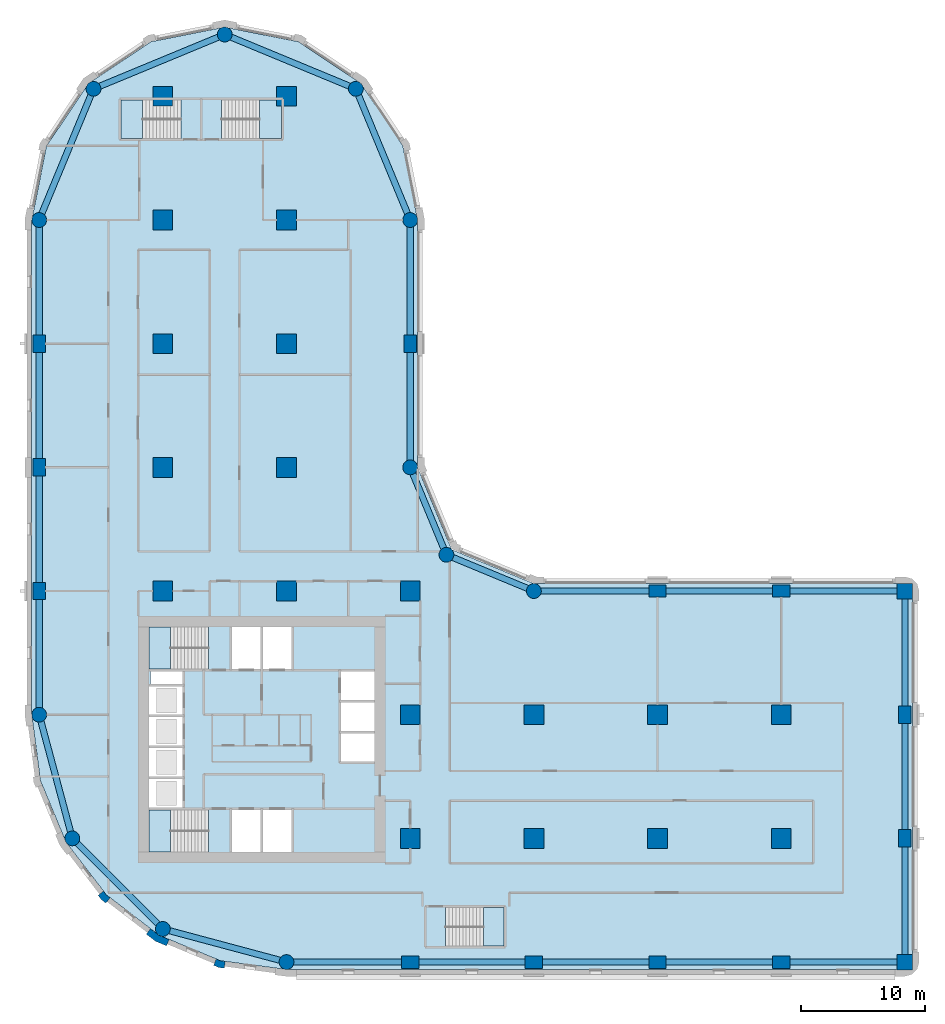
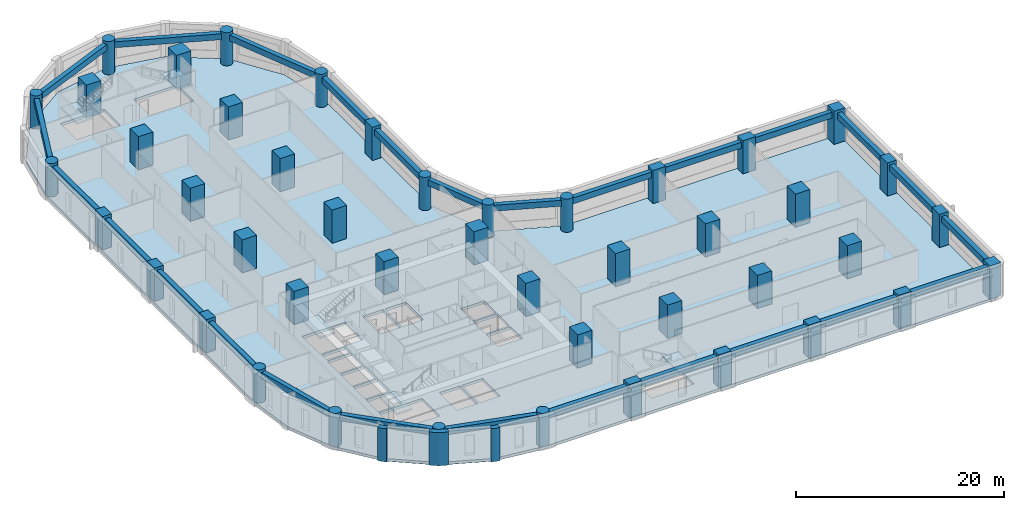
# One storey, part 1 of 10: 45 columns, 26 beams, 6 slabs, 3 walls, 5 elements without a shape of their own.
"""IFC4 building model written with IfcOpenShell, lengths in metres."""

from ifc_helpers import new_model, si_unit, direction, frame, origin, origin_2d, place, context, subcontext, project, spatial, polyline, rectangle, circle, outline, extrude, material, layer, layer_set, material_profile, profile_set, type_object, element, aggregate, save


model = new_model("IFC4")

# Units and contexts
model_context = context("Model", 3, precision=1e-05, world=origin(), true_north=direction((0.0, 1.0)))
body_context = subcontext(model_context, "Body", "Model", "MODEL_VIEW")
ifc_project = project(units=[si_unit("LENGTHUNIT", "METRE"), si_unit("AREAUNIT", "SQUARE_METRE"), si_unit("VOLUMEUNIT", "CUBIC_METRE"), si_unit("PLANEANGLEUNIT", "RADIAN"), si_unit("MASSUNIT", "GRAM", prefix="KILO")], contexts=[model_context])

# Site, building, storey
site_placement = place(None, origin())
site = spatial("IfcSite", under=ifc_project, at=site_placement, CompositionType="ELEMENT")
building_placement = place(site_placement, origin())
building = spatial("IfcBuilding", under=site, at=building_placement, Name="Qaws Garden Tower", CompositionType="ELEMENT")
storey_placement = place(building_placement, frame((0.0, 0.0, 12.0)))
storey = spatial("IfcBuildingStorey", under=building, at=storey_placement, Name="L02", CompositionType="ELEMENT", Elevation=12.0)

# Columns
ifc_material_1 = material(Name="Concrete C80", Category="concrete")
ifc_material_profile_1 = material_profile(ifc_material_1, rectangle(XDim=1.25, YDim=1.25, at=origin_2d()), Name="RC 1250x1250")
ifc_profile_set_1 = profile_set([ifc_material_profile_1], Name="Concrete C80")
column_type_1 = type_object("IfcColumnType", Name="Column RC 1250x1250 C80", PredefinedType="COLUMN", material=ifc_profile_set_1)
for number, where, z_axis, x_axis, name in (
    (1, (70.0, 0.0, 0.0), (0.0, 0.0, 1.0), (1.0, 0.0, 0.0), "Column L02-006"),
    (2, (70.0, 30.0, 0.0), (0.0, 0.0, 1.0), (1.0, 0.0, 0.0), "Column L02-009"),
):
    element("IfcColumn", number, at=place(storey_placement, frame(where, z_axis=z_axis, x_axis=x_axis)), inside=storey, type_object=column_type_1, Name=name, PredefinedType="COLUMN", context=body_context, shape_type="SweptSolid", body=[
        extrude(rectangle(XDim=1.25, YDim=1.25, at=origin_2d()), origin(), (0.0, 0.0, 1.0), 3.89990234375),
    ])
ifc_material_2 = material(Name="Concrete C80", Category="concrete")
ifc_material_profile_2 = material_profile(ifc_material_2, rectangle(XDim=1.39990234375, YDim=1.0, at=origin_2d()), Name="RC 1400x1000")
ifc_profile_set_2 = profile_set([ifc_material_profile_2], Name="Concrete C80")
column_type_2 = type_object("IfcColumnType", Name="Column RC 1400x1000 C80", PredefinedType="COLUMN", material=ifc_profile_set_2)
for number, where, z_axis, x_axis, name in (
    (3, (30.0, 0.0, 0.0), (0.0, 0.0, 1.0), (1.0, 0.0, 0.0), "Column L02-002"),
    (4, (40.0, 0.0, 0.0), (0.0, 0.0, 1.0), (1.0, 0.0, 0.0), "Column L02-003"),
    (5, (50.0, 0.0, 0.0), (0.0, 0.0, 1.0), (1.0, 0.0, 0.0), "Column L02-004"),
    (6, (60.0, 0.0, 0.0), (0.0, 0.0, 1.0), (1.0, 0.0, 0.0), "Column L02-005"),
    (7, (70.0, 10.0, 0.0), (0.0, 0.0, 1.0), (0.0, 1.0, 0.0), "Column L02-007"),
    (8, (70.0, 20.0, 0.0), (0.0, 0.0, 1.0), (0.0, 1.0, 0.0), "Column L02-008"),
    (9, (60.0, 30.0, 0.0), (0.0, 0.0, 1.0), (1.0, 0.0, 0.0), "Column L02-010"),
    (10, (50.0, 30.0, 0.0), (0.0, 0.0, 1.0), (1.0, 0.0, 0.0), "Column L02-011"),
    (11, (30.0, 50.0, 0.0), (0.0, 0.0, 1.0), (0.0, 1.0, 0.0), "Column L02-015"),
    (12, (0.0, 50.0, 0.0), (0.0, 0.0, 1.0), (0.0, 1.0, 0.0), "Column L02-021"),
    (13, (0.0, 40.0, 0.0), (0.0, 0.0, 1.0), (0.0, 1.0, 0.0), "Column L02-022"),
    (14, (0.0, 30.0, 0.0), (0.0, 0.0, 1.0), (0.0, 1.0, 0.0), "Column L02-023"),
):
    element("IfcColumn", number, at=place(storey_placement, frame(where, z_axis=z_axis, x_axis=x_axis)), inside=storey, type_object=column_type_2, Name=name, PredefinedType="COLUMN", context=body_context, shape_type="SweptSolid", body=[
        extrude(rectangle(XDim=1.39990234375, YDim=1.0, at=origin_2d()), origin(), (0.0, 0.0, 1.0), 3.89990234375),
    ])
ifc_material_3 = material(Name="Concrete C80", Category="concrete")
ifc_material_profile_3 = material_profile(ifc_material_3, rectangle(XDim=1.60009765625, YDim=1.60009765625, at=origin_2d()), Name="RC 1600x1600")
ifc_profile_set_3 = profile_set([ifc_material_profile_3], Name="Concrete C80")
column_type_3 = type_object("IfcColumnType", Name="Column RC 1600x1600 C80", PredefinedType="COLUMN", material=ifc_profile_set_3)
for number, where, z_axis, x_axis, name in (
    (15, (10.0, 30.0, 0.0), (0.0, 0.0, 1.0), (1.0, 0.0, 0.0), "Column L02-027"),
    (16, (10.0, 40.0, 0.0), (0.0, 0.0, 1.0), (1.0, 0.0, 0.0), "Column L02-028"),
    (17, (10.0, 50.0, 0.0), (0.0, 0.0, 1.0), (1.0, 0.0, 0.0), "Column L02-029"),
    (18, (10.0, 60.0, 0.0), (0.0, 0.0, 1.0), (1.0, 0.0, 0.0), "Column L02-030"),
    (19, (10.0, 70.0, 0.0), (0.0, 0.0, 1.0), (1.0, 0.0, 0.0), "Column L02-031"),
    (20, (20.0, 30.0, 0.0), (0.0, 0.0, 1.0), (1.0, 0.0, 0.0), "Column L02-032"),
    (21, (20.0, 40.0, 0.0), (0.0, 0.0, 1.0), (1.0, 0.0, 0.0), "Column L02-033"),
    (22, (20.0, 50.0, 0.0), (0.0, 0.0, 1.0), (1.0, 0.0, 0.0), "Column L02-034"),
    (23, (20.0, 60.0, 0.0), (0.0, 0.0, 1.0), (1.0, 0.0, 0.0), "Column L02-035"),
    (24, (20.0, 70.0, 0.0), (0.0, 0.0, 1.0), (1.0, 0.0, 0.0), "Column L02-036"),
    (25, (30.0, 10.0, 0.0), (0.0, 0.0, 1.0), (1.0, 0.0, 0.0), "Column L02-037"),
    (26, (30.0, 20.0, 0.0), (0.0, 0.0, 1.0), (1.0, 0.0, 0.0), "Column L02-038"),
    (27, (30.0, 30.0, 0.0), (0.0, 0.0, 1.0), (1.0, 0.0, 0.0), "Column L02-039"),
    (28, (40.0, 10.0, 0.0), (0.0, 0.0, 1.0), (1.0, 0.0, 0.0), "Column L02-040"),
    (29, (40.0, 20.0, 0.0), (0.0, 0.0, 1.0), (1.0, 0.0, 0.0), "Column L02-041"),
    (30, (50.0, 10.0, 0.0), (0.0, 0.0, 1.0), (1.0, 0.0, 0.0), "Column L02-042"),
    (31, (50.0, 20.0, 0.0), (0.0, 0.0, 1.0), (1.0, 0.0, 0.0), "Column L02-043"),
    (32, (60.0, 10.0, 0.0), (0.0, 0.0, 1.0), (1.0, 0.0, 0.0), "Column L02-044"),
    (33, (60.0, 20.0, 0.0), (0.0, 0.0, 1.0), (1.0, 0.0, 0.0), "Column L02-045"),
):
    element("IfcColumn", number, at=place(storey_placement, frame(where, z_axis=z_axis, x_axis=x_axis)), inside=storey, type_object=column_type_3, Name=name, PredefinedType="COLUMN", context=body_context, shape_type="SweptSolid", body=[
        extrude(rectangle(XDim=1.60009765625, YDim=1.60009765625, at=origin_2d()), origin(), (0.0, 0.0, 1.0), 3.89990234375),
    ])
ifc_material_4 = material(Name="Concrete C80", Category="concrete")
ifc_material_profile_4 = material_profile(ifc_material_4, circle(Radius=0.60009765625, at=origin_2d()), Name="RC D1200")
ifc_profile_set_4 = profile_set([ifc_material_profile_4], Name="Concrete C80")
column_type_4 = type_object("IfcColumnType", Name="Column RC D1200 C80", PredefinedType="COLUMN", material=ifc_profile_set_4)
for number, where, z_axis, x_axis, name in (
    (34, (20.0, 0.0, 0.0), (0.0, 0.0, 1.0), (1.0, 0.0, 0.0), "Column L02-001"),
    (35, (40.0, 30.0, 0.0), (0.0, 0.0, 1.0), (1.0, 0.0, 0.0), "Column L02-012"),
    (36, (32.928955078125, 32.928955078125, 0.0), (0.0, 0.0, 1.0), (1.0, 0.0, 0.0), "Column L02-013"),
    (37, (30.0, 40.0, 0.0), (0.0, 0.0, 1.0), (1.0, 0.0, 0.0), "Column L02-014"),
    (38, (30.0, 60.0, 0.0), (0.0, 0.0, 1.0), (1.0, 0.0, 0.0), "Column L02-016"),
    (39, (25.606689453125, 70.606689453125, 0.0), (0.0, 0.0, 1.0), (1.0, 0.0, 0.0), "Column L02-017"),
    (40, (15.0, 75.0, 0.0), (0.0, 0.0, 1.0), (1.0, 0.0, 0.0), "Column L02-018"),
    (41, (4.393310546875, 70.606689453125, 0.0), (0.0, 0.0, 1.0), (1.0, 0.0, 0.0), "Column L02-019"),
    (42, (0.0, 60.0, 0.0), (0.0, 0.0, 1.0), (1.0, 0.0, 0.0), "Column L02-020"),
    (43, (0.0, 20.0, 0.0), (0.0, 0.0, 1.0), (1.0, 0.0, 0.0), "Column L02-024"),
    (44, (2.679443359375, 10.0, 0.0), (0.0, 0.0, 1.0), (1.0, 0.0, 0.0), "Column L02-025"),
    (45, (10.0, 2.679443359375, 0.0), (0.0, 0.0, 1.0), (1.0, 0.0, 0.0), "Column L02-026"),
):
    element("IfcColumn", number, at=place(storey_placement, frame(where, z_axis=z_axis, x_axis=x_axis)), inside=storey, type_object=column_type_4, Name=name, PredefinedType="COLUMN", context=body_context, shape_type="SweptSolid", body=[
        extrude(circle(Radius=0.60009765625, at=origin_2d()), origin(), (0.0, 0.0, 1.0), 3.89990234375),
    ])

# Beams
ifc_material_5 = material(Name="Concrete C45", Category="concrete")
ifc_material_profile_5 = material_profile(ifc_material_5, rectangle(XDim=0.5, YDim=0.699951171875, at=origin_2d()), Name="RC 500x700")
ifc_profile_set_5 = profile_set([ifc_material_profile_5], Name="Concrete C45")
beam_type = type_object("IfcBeamType", Name="Spandrel beam RC 500x700 C45", PredefinedType="SPANDREL", material=ifc_profile_set_5)
for number, where, z_axis, x_axis, name in (
    (46, (20.0, 0.0, 3.22998046875), (1.0, 0.0, 0.0), (0.0, 1.0, 0.0), "Spandrel beam L02-001"),
    (47, (30.0, 0.0, 3.22998046875), (1.0, 0.0, 0.0), (0.0, 1.0, 0.0), "Spandrel beam L02-002"),
    (48, (40.0, 0.0, 3.22998046875), (1.0, 0.0, 0.0), (0.0, 1.0, 0.0), "Spandrel beam L02-003"),
    (49, (50.0, 0.0, 3.22998046875), (1.0, 0.0, 0.0), (0.0, 1.0, 0.0), "Spandrel beam L02-004"),
    (50, (60.0, 0.0, 3.22998046875), (1.0, 0.0, 0.0), (0.0, 1.0, 0.0), "Spandrel beam L02-005"),
    (51, (70.0, 0.0, 3.22998046875), (0.0, 1.0, 0.0), (-1.0, 0.0, 0.0), "Spandrel beam L02-006"),
    (52, (70.0, 10.0, 3.22998046875), (0.0, 1.0, 0.0), (-1.0, 0.0, 0.0), "Spandrel beam L02-007"),
    (53, (70.0, 20.0, 3.22998046875), (0.0, 1.0, 0.0), (-1.0, 0.0, 0.0), "Spandrel beam L02-008"),
    (54, (70.0, 30.0, 3.22998046875), (-1.0, 0.0, 0.0), (0.0, -1.0, 0.0), "Spandrel beam L02-009"),
    (55, (60.0, 30.0, 3.22998046875), (-1.0, 0.0, 0.0), (0.0, -1.0, 0.0), "Spandrel beam L02-010"),
    (56, (50.0, 30.0, 3.22998046875), (-1.0, 0.0, 0.0), (0.0, -1.0, 0.0), "Spandrel beam L02-011"),
):
    element("IfcBeam", number, at=place(storey_placement, frame(where, z_axis=z_axis, x_axis=x_axis)), inside=storey, type_object=beam_type, Name=name, PredefinedType="SPANDREL", context=body_context, shape_type="SweptSolid", body=[
        extrude(rectangle(XDim=0.5, YDim=0.699951171875, at=origin_2d()), origin(), (0.0, 0.0, 1.0), 10.0),
    ])
for number, where, z_axis, x_axis, name in (
    (57, (40.0, 30.0, 3.22998046875), (-0.923878037141, 0.382687042488, 0.0), (-0.382687042488, -0.923878037141, 0.0), "Spandrel beam L02-012"),
    (58, (32.928955078125, 32.928955078125, 3.22998046875), (-0.382687042488, 0.923878037141, 0.0), (-0.923878037141, -0.382687042488, 0.0), "Spandrel beam L02-013"),
):
    element("IfcBeam", number, at=place(storey_placement, frame(where, z_axis=z_axis, x_axis=x_axis)), inside=storey, type_object=beam_type, Name=name, PredefinedType="SPANDREL", context=body_context, shape_type="SweptSolid", body=[
        extrude(rectangle(XDim=0.5, YDim=0.699951171875, at=origin_2d()), origin(), (0.0, 0.0, 1.0), 7.653564453125),
    ])
for number, where, z_axis, x_axis, name in (
    (59, (30.0, 40.0, 3.22998046875), (0.0, 1.0, 0.0), (-1.0, 0.0, 0.0), "Spandrel beam L02-014"),
    (60, (30.0, 50.0, 3.22998046875), (0.0, 1.0, 0.0), (-1.0, 0.0, 0.0), "Spandrel beam L02-015"),
):
    element("IfcBeam", number, at=place(storey_placement, frame(where, z_axis=z_axis, x_axis=x_axis)), inside=storey, type_object=beam_type, Name=name, PredefinedType="SPANDREL", context=body_context, shape_type="SweptSolid", body=[
        extrude(rectangle(XDim=0.5, YDim=0.699951171875, at=origin_2d()), origin(), (0.0, 0.0, 1.0), 10.0),
    ])
for number, where, z_axis, x_axis, name in (
    (61, (30.0, 60.0, 3.22998046875), (-0.382674207535, 0.923883353507, 0.0), (-0.923883353507, -0.382674207535, 0.0), "Spandrel beam L02-016"),
    (62, (25.606689453125, 70.606689453125, 3.22998046875), (-0.923883353507, 0.382674207535, 0.0), (-0.382674207535, -0.923883353507, 0.0), "Spandrel beam L02-017"),
    (63, (15.0, 75.0, 3.22998046875), (-0.923883353507, -0.382674207535, 0.0), (0.382674207535, -0.923883353507, 0.0), "Spandrel beam L02-018"),
    (64, (4.393310546875, 70.606689453125, 3.22998046875), (-0.382674207535, -0.923883353507, 0.0), (0.923883353507, -0.382674207535, 0.0), "Spandrel beam L02-019"),
):
    element("IfcBeam", number, at=place(storey_placement, frame(where, z_axis=z_axis, x_axis=x_axis)), inside=storey, type_object=beam_type, Name=name, PredefinedType="SPANDREL", context=body_context, shape_type="SweptSolid", body=[
        extrude(rectangle(XDim=0.5, YDim=0.699951171875, at=origin_2d()), origin(), (0.0, 0.0, 1.0), 11.48046875),
    ])
for number, where, z_axis, x_axis, name in (
    (65, (0.0, 60.0, 3.22998046875), (0.0, -1.0, 0.0), (1.0, 0.0, 0.0), "Spandrel beam L02-020"),
    (66, (0.0, 50.0, 3.22998046875), (0.0, -1.0, 0.0), (1.0, 0.0, 0.0), "Spandrel beam L02-021"),
    (67, (0.0, 40.0, 3.22998046875), (0.0, -1.0, 0.0), (1.0, 0.0, 0.0), "Spandrel beam L02-022"),
    (68, (0.0, 30.0, 3.22998046875), (0.0, -1.0, 0.0), (1.0, 0.0, 0.0), "Spandrel beam L02-023"),
):
    element("IfcBeam", number, at=place(storey_placement, frame(where, z_axis=z_axis, x_axis=x_axis)), inside=storey, type_object=beam_type, Name=name, PredefinedType="SPANDREL", context=body_context, shape_type="SweptSolid", body=[
        extrude(rectangle(XDim=0.5, YDim=0.699951171875, at=origin_2d()), origin(), (0.0, 0.0, 1.0), 10.0),
    ])
for number, where, z_axis, x_axis, name in (
    (69, (0.0, 20.0, 3.22998046875), (0.25881466832, -0.965926999034, 0.0), (0.965926999034, 0.25881466832, 0.0), "Spandrel beam L02-024"),
    (70, (2.679443359375, 10.0, 3.22998046875), (0.707106781187, -0.707106781187, 0.0), (0.707106781187, 0.707106781187, 0.0), "Spandrel beam L02-025"),
    (71, (10.0, 2.679443359375, 3.22998046875), (0.965926999034, -0.25881466832, 0.0), (0.25881466832, 0.965926999034, 0.0), "Spandrel beam L02-026"),
):
    element("IfcBeam", number, at=place(storey_placement, frame(where, z_axis=z_axis, x_axis=x_axis)), inside=storey, type_object=beam_type, Name=name, PredefinedType="SPANDREL", context=body_context, shape_type="SweptSolid", body=[
        extrude(rectangle(XDim=0.5, YDim=0.699951171875, at=origin_2d()), origin(), (0.0, 0.0, 1.0), 10.352783203125),
    ])

# Slab
ifc_material_6 = material(Name="Concrete C40", Category="concrete")
ifc_layer_1 = layer(ifc_material_6, 0.320068359375)
ifc_layer_set_1 = layer_set([ifc_layer_1], Name="Concrete C40")
slab_type_1 = type_object("IfcSlabType", Name="Floor slab 320 C40", PredefinedType="FLOOR", material=ifc_layer_set_1)
slab_1_placement = place(storey_placement, frame((0.0, 0.0, -0.320068359375)))
element("IfcSlab", 72, at=slab_1_placement, inside=storey, type_object=slab_type_1, Name="Floor slab L02", PredefinedType="FLOOR", context=body_context, shape_type="SweptSolid", body=[
    extrude(outline(polyline([(0.101806640625, 14.668212890625), (-0.60009765625, 20.0), (-0.60009765625, 30.60009765625), (-0.60009765625, 60.0), (-0.60009765625, 60.0), (0.58740234375, 65.969970703125), (3.968994140625, 71.031005859375), (9.030029296875, 74.41259765625), (15.0, 75.60009765625), (20.969970703125, 74.41259765625), (26.031005859375, 71.031005859375), (29.41259765625, 65.969970703125), (30.60009765625, 60.0), (30.60009765625, 40.0), (33.353271484375, 33.353271484375), (40.0, 30.60009765625), (70.0, 30.60009765625), (70.42431640625, 30.42431640625), (70.60009765625, 30.0), (70.60009765625, 0.0), (70.42431640625, -0.42431640625), (70.0, -0.60009765625), (30.60009765625, -0.60009765625), (20.0, -0.60009765625), (14.668212890625, 0.101806640625), (9.699951171875, 2.159912109375), (5.43359375, 5.43359375), (2.159912109375, 9.699951171875), (0.101806640625, 14.668212890625)]), holes=[polyline([(13.699462890625, 12.300048828125), (8.89990234375, 12.300048828125), (8.89990234375, 8.89990234375), (13.699462890625, 8.89990234375), (13.699462890625, 12.300048828125)]), polyline([(17.89990234375, 12.300048828125), (15.60009765625, 12.300048828125), (15.60009765625, 8.89990234375), (17.89990234375, 8.89990234375), (17.89990234375, 12.300048828125)]), polyline([(11.60009765625, 14.800048828125), (8.89990234375, 14.800048828125), (8.89990234375, 12.5), (11.60009765625, 12.5), (11.60009765625, 14.800048828125)]), polyline([(11.60009765625, 17.300048828125), (8.89990234375, 17.300048828125), (8.89990234375, 15.0), (11.60009765625, 15.0), (11.60009765625, 17.300048828125)]), polyline([(11.60009765625, 19.800048828125), (8.89990234375, 19.800048828125), (8.89990234375, 17.5), (11.60009765625, 17.5), (11.60009765625, 19.800048828125)]), polyline([(11.60009765625, 22.300048828125), (8.89990234375, 22.300048828125), (8.89990234375, 20.0), (11.60009765625, 20.0), (11.60009765625, 22.300048828125)]), polyline([(11.60009765625, 23.5), (9.0, 23.5), (9.0, 22.5), (11.60009765625, 22.5), (11.60009765625, 23.5)]), polyline([(13.699462890625, 27.10009765625), (8.89990234375, 27.10009765625), (8.89990234375, 23.699951171875), (13.699462890625, 23.699951171875), (13.699462890625, 27.10009765625)]), polyline([(11.449462890625, 69.699951171875), (6.60009765625, 69.699951171875), (6.60009765625, 66.60009765625), (11.449462890625, 66.60009765625), (11.449462890625, 69.699951171875)]), polyline([(37.60009765625, 4.39990234375), (32.8505859375, 4.39990234375), (32.8505859375, 1.300048828125), (37.60009765625, 1.300048828125), (37.60009765625, 4.39990234375)]), polyline([(20.39990234375, 12.300048828125), (18.10009765625, 12.300048828125), (18.10009765625, 8.89990234375), (20.39990234375, 8.89990234375), (20.39990234375, 12.300048828125)]), polyline([(27.10009765625, 18.5), (24.39990234375, 18.5), (24.39990234375, 16.199951171875), (27.10009765625, 16.199951171875), (27.10009765625, 18.5)]), polyline([(27.10009765625, 21.0), (24.39990234375, 21.0), (24.39990234375, 18.699951171875), (27.10009765625, 18.699951171875), (27.10009765625, 21.0)]), polyline([(27.10009765625, 23.5), (24.39990234375, 23.5), (24.39990234375, 21.199951171875), (27.10009765625, 21.199951171875), (27.10009765625, 23.5)]), polyline([(17.89990234375, 27.10009765625), (15.60009765625, 27.10009765625), (15.60009765625, 23.699951171875), (17.89990234375, 23.699951171875), (17.89990234375, 27.10009765625)]), polyline([(20.39990234375, 23.699951171875), (20.39990234375, 27.10009765625), (18.10009765625, 27.10009765625), (18.10009765625, 23.699951171875), (20.39990234375, 23.699951171875)]), polyline([(19.60009765625, 66.60009765625), (19.60009765625, 69.699951171875), (14.75048828125, 69.699951171875), (14.75048828125, 66.60009765625), (19.60009765625, 66.60009765625)])]), origin(), (0.0, 0.0, 1.0), 0.320068359375),
])

# Stair, slab
ifc_material_7 = material(Name="Concrete C40", Category="concrete")
stair_type_1 = type_object("IfcStairType", Name="Exit stair 1500", PredefinedType="HALF_TURN_STAIR", material=ifc_material_7)
placement_1 = place(storey_placement, origin())
stair_1 = element("IfcStair", 73, at=placement_1, inside=storey, type_object=stair_type_1, Name="Stair 1", PredefinedType="HALF_TURN_STAIR")
ifc_material_8 = material(Name="Concrete C40", Category="concrete")
ifc_layer_2 = layer(ifc_material_8, 0.199951171875)
ifc_layer_set_2 = layer_set([ifc_layer_2], Name="Concrete C40")
slab_type_2 = type_object("IfcSlabType", Name="Stair landing 200", PredefinedType="LANDING", material=ifc_layer_set_2)
placement_2 = place(storey_placement, frame((0.0, 0.0, 1.75)))
slab_2 = element("IfcSlab", 74, at=placement_2, type_object=slab_type_2, Name="ST1 landing 1", PredefinedType="LANDING", context=body_context, shape_type="SweptSolid", body=[
    extrude(outline(polyline([(8.89990234375, 8.89990234375), (10.6201171875, 8.89990234375), (10.6201171875, 12.300048828125), (8.89990234375, 12.300048828125), (8.89990234375, 8.89990234375)])), origin(), (0.0, 0.0, 1.0), 0.199951171875),
])
aggregate(stair_1, [slab_2])

stair_2 = element("IfcStair", 75, at=placement_1, inside=storey, type_object=stair_type_1, Name="Stair 4", PredefinedType="HALF_TURN_STAIR")
slab_3 = element("IfcSlab", 76, at=placement_2, type_object=slab_type_2, Name="ST4 landing 1", PredefinedType="LANDING", context=body_context, shape_type="SweptSolid", body=[
    extrude(outline(polyline([(8.89990234375, 23.699951171875), (10.6201171875, 23.699951171875), (10.6201171875, 27.10009765625), (8.89990234375, 27.10009765625), (8.89990234375, 23.699951171875)])), origin(), (0.0, 0.0, 1.0), 0.199951171875),
])
aggregate(stair_2, [slab_3])

ifc_material_9 = material(Name="Concrete C40", Category="concrete")
stair_type_2 = type_object("IfcStairType", Name="Exit stair 1350", PredefinedType="HALF_TURN_STAIR", material=ifc_material_9)
stair_3 = element("IfcStair", 77, at=placement_1, inside=storey, type_object=stair_type_2, Name="Stair 5", PredefinedType="HALF_TURN_STAIR")
slab_4 = element("IfcSlab", 78, at=placement_2, type_object=slab_type_2, Name="ST5 landing 1", PredefinedType="LANDING", context=body_context, shape_type="SweptSolid", body=[
    extrude(outline(polyline([(35.929931640625, 1.300048828125), (37.60009765625, 1.300048828125), (37.60009765625, 4.39990234375), (35.929931640625, 4.39990234375), (35.929931640625, 1.300048828125)])), origin(), (0.0, 0.0, 1.0), 0.199951171875),
])
aggregate(stair_3, [slab_4])

stair_4 = element("IfcStair", 79, at=placement_1, inside=storey, type_object=stair_type_2, Name="Stair 6", PredefinedType="HALF_TURN_STAIR")
slab_5 = element("IfcSlab", 80, at=placement_2, type_object=slab_type_2, Name="ST6 landing 1", PredefinedType="LANDING", context=body_context, shape_type="SweptSolid", body=[
    extrude(outline(polyline([(6.60009765625, 66.60009765625), (8.3701171875, 66.60009765625), (8.3701171875, 69.699951171875), (6.60009765625, 69.699951171875), (6.60009765625, 66.60009765625)])), origin(), (0.0, 0.0, 1.0), 0.199951171875),
])
aggregate(stair_4, [slab_5])

stair_5 = element("IfcStair", 81, at=placement_1, inside=storey, type_object=stair_type_2, Name="Stair 7", PredefinedType="HALF_TURN_STAIR")
slab_6 = element("IfcSlab", 82, at=placement_2, type_object=slab_type_2, Name="ST7 landing 1", PredefinedType="LANDING", context=body_context, shape_type="SweptSolid", body=[
    extrude(outline(polyline([(17.830078125, 66.60009765625), (19.60009765625, 66.60009765625), (19.60009765625, 69.699951171875), (17.830078125, 69.699951171875), (17.830078125, 66.60009765625)])), origin(), (0.0, 0.0, 1.0), 0.199951171875),
])
aggregate(stair_5, [slab_6])

# Walls
ifc_material_10 = material(Name="Clay facing brick masonry", Category="masonry")
ifc_layer_3 = layer(ifc_material_10, 0.550048828125)
ifc_layer_set_3 = layer_set([ifc_layer_3], Name="Clay facing brick masonry")
wall_type_1 = type_object("IfcWallType", Name="Brick kink pier 550 x 600", PredefinedType="SOLIDWALL", material=ifc_layer_set_3)
element("IfcWall", 83, at=placement_1, inside=storey, type_object=wall_type_1, Name="E-L02-pier-30", PredefinedType="SOLIDWALL", context=body_context, shape_type="SweptSolid", body=[
    extrude(outline(polyline([(4.8818359375, 5.487060546875), (4.762939453125, 5.395751953125), (5.03759765625, 5.03759765625), (5.395751953125, 4.762939453125), (5.487060546875, 4.8818359375), (5.730712890625, 5.19921875), (5.429931640625, 5.429931640625), (5.19921875, 5.730712890625), (4.8818359375, 5.487060546875)])), origin(), (0.0, 0.0, 1.0), 3.89990234375),
])
element("IfcWall", 84, at=placement_1, inside=storey, type_object=wall_type_1, Name="E-L02-pier-32", PredefinedType="SOLIDWALL", context=body_context, shape_type="SweptSolid", body=[
    extrude(outline(polyline([(14.163818359375, -0.127685546875), (14.1064453125, -0.26611328125), (14.5234375, -0.43896484375), (14.970947265625, -0.497802734375), (14.990478515625, -0.34912109375), (15.042724609375, 0.04736328125), (14.6669921875, 0.096923828125), (14.31689453125, 0.241943359375), (14.163818359375, -0.127685546875)])), origin(), (0.0, 0.0, 1.0), 3.89990234375),
])
ifc_material_11 = material(Name="Clay facing brick masonry", Category="masonry")
ifc_layer_4 = layer(ifc_material_11, 0.550048828125)
ifc_layer_set_4 = layer_set([ifc_layer_4], Name="Clay facing brick masonry")
wall_type_2 = type_object("IfcWallType", Name="Brick pier 550 x 1600", PredefinedType="SOLIDWALL", material=ifc_layer_set_4)
element("IfcWall", 85, at=placement_1, inside=storey, type_object=wall_type_2, Name="E-L02-pier-31", PredefinedType="SOLIDWALL", context=body_context, shape_type="SweptSolid", body=[
    extrude(outline(polyline([(8.756591796875, 2.373046875), (8.665283203125, 2.254150390625), (9.419921875, 1.675048828125), (10.299072265625, 1.310791015625), (10.3564453125, 1.449462890625), (10.509521484375, 1.819091796875), (9.697509765625, 2.1552734375), (9.0, 2.6904296875), (8.756591796875, 2.373046875)])), origin(), (0.0, 0.0, 1.0), 3.89990234375),
])

save(model, "model.ifc")
